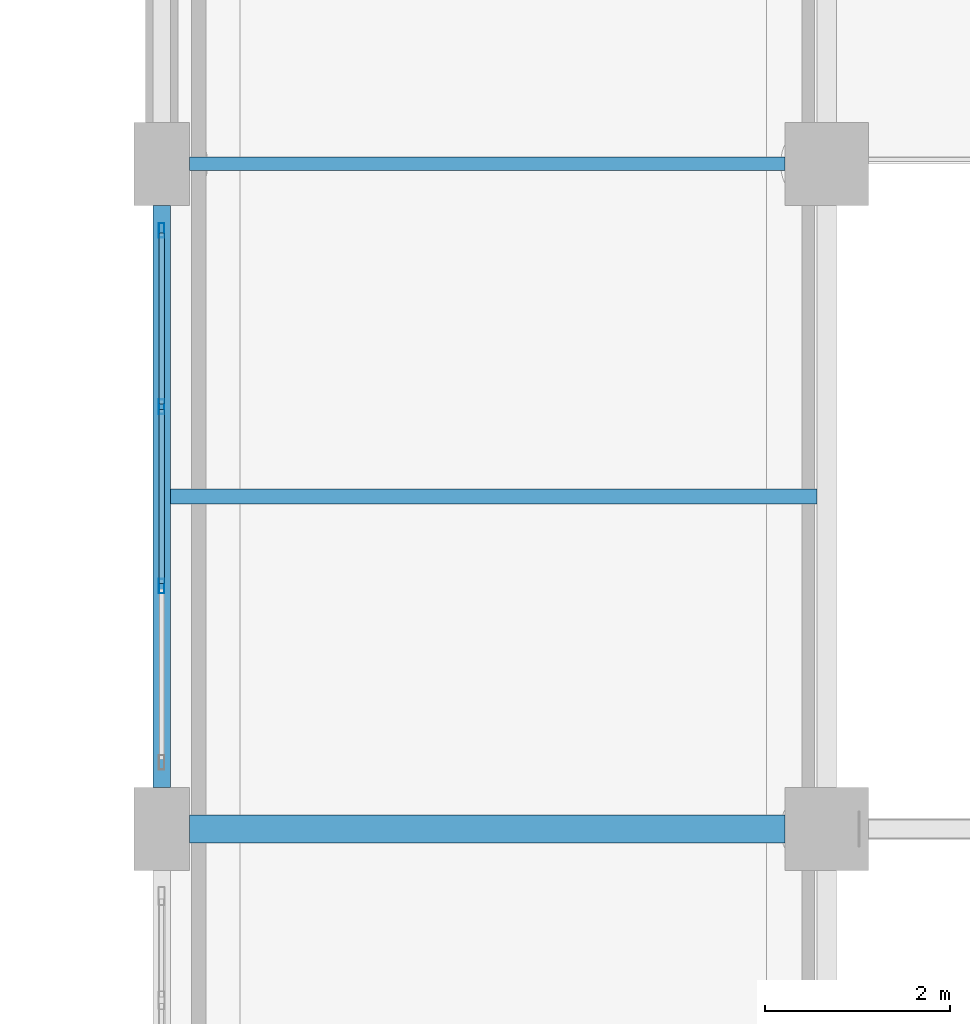
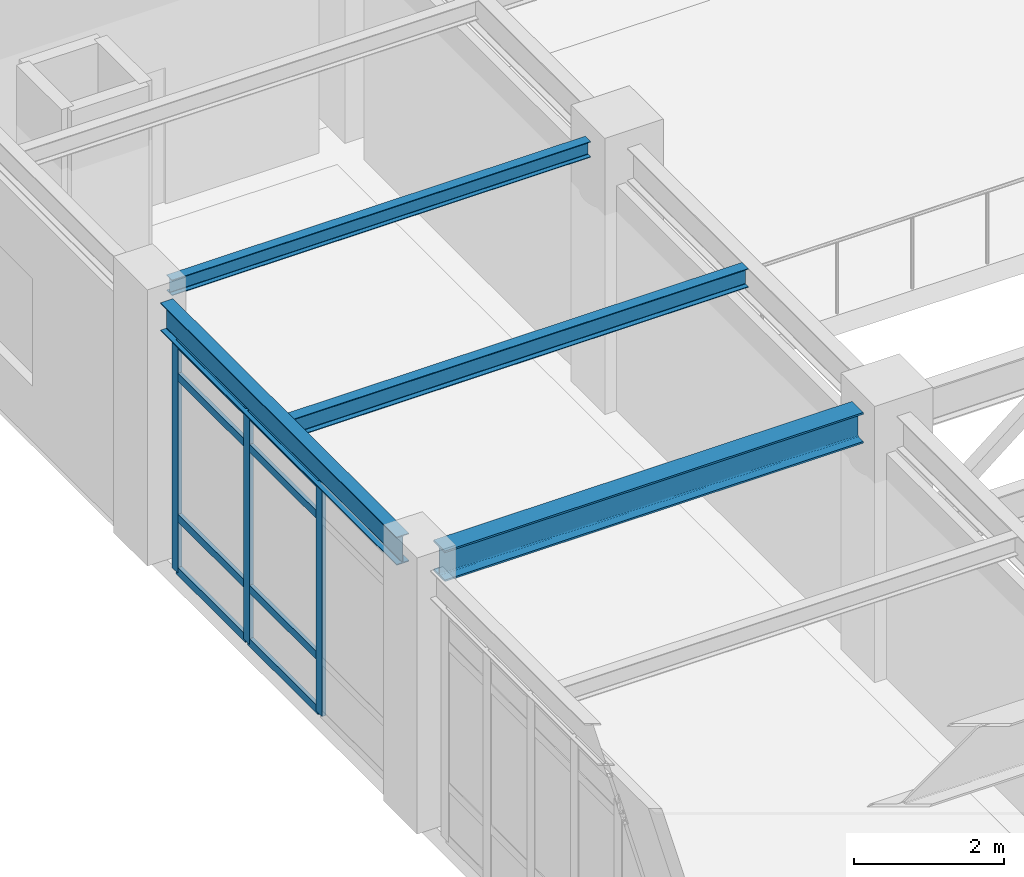
# One storey, part 22 of 106: 11 members, 4 beams, 1 element without a shape of its own.
"""IFC4 building model written with IfcOpenShell, lengths in metres."""

from ifc_helpers import new_model, si_unit, direction, frame, origin, origin_2d, place, context, subcontext, project, spatial, hollow_rectangle, i_section, extrude, material, layer, layer_set, material_profile, profile_set, type_object, element, aggregate, save


model = new_model("IFC4")

# Units and contexts
model_context = context("Model", 3, precision=1e-05, world=origin(), true_north=direction((0.0, 1.0)))
body_context = subcontext(model_context, "Body", "Model", "MODEL_VIEW")
ifc_project = project(units=[si_unit("LENGTHUNIT", "METRE"), si_unit("AREAUNIT", "SQUARE_METRE"), si_unit("VOLUMEUNIT", "CUBIC_METRE"), si_unit("PLANEANGLEUNIT", "RADIAN"), si_unit("MASSUNIT", "GRAM", prefix="KILO")], contexts=[model_context])

# Site, building, storey
site_placement = place(None, origin())
site = spatial("IfcSite", under=ifc_project, at=site_placement, CompositionType="ELEMENT")
building_placement = place(site_placement, origin())
building = spatial("IfcBuilding", under=site, at=building_placement, Name="Carrowvane Square Congress Hotel", CompositionType="ELEMENT")
storey_placement = place(building_placement, frame((0.0, 0.0, 10.5)))
storey = spatial("IfcBuildingStorey", under=building, at=storey_placement, Name="L02", CompositionType="ELEMENT", Elevation=10.5)

# Beams
ifc_material_1 = material(Name="Steel S355", Category="steel")
ifc_material_profile_1 = material_profile(ifc_material_1, i_section(OverallWidth=0.300048828125, OverallDepth=0.5, WebThickness=0.014404296875, FlangeThickness=0.028076171875, FilletRadius=0.027099609375, at=origin_2d()), Name="HEB 500")
ifc_profile_set_1 = profile_set([ifc_material_profile_1], Name="Steel S355")
beam_type_1 = type_object("IfcBeamType", Name="BM-ST-HEB500", PredefinedType="USERDEFINED", material=ifc_profile_set_1)
beam_1_placement = place(storey_placement, frame((134.300048828125, 41.39990234375, 3.969970703125), z_axis=(1.0, 0.0, 0.0), x_axis=(0.0, 1.0, 0.0)))
element("IfcBeam", 1, at=beam_1_placement, inside=storey, type_object=beam_type_1, Name="L03 girder F/18-19", ObjectType="GIRDER", PredefinedType="USERDEFINED", context=body_context, shape_type="SweptSolid", body=[
    extrude(i_section(OverallWidth=0.300048828125, OverallDepth=0.5, WebThickness=0.014404296875, FlangeThickness=0.028076171875, FilletRadius=0.027099609375, at=origin_2d()), origin(), (0.0, 0.0, 1.0), 6.449951171875),
])
ifc_material_2 = material(Name="Steel S355", Category="steel")
ifc_material_profile_2 = material_profile(ifc_material_2, i_section(OverallWidth=0.146484375, OverallDepth=0.256103515625, WebThickness=0.00634765625, FlangeThickness=0.010986328125, FilletRadius=0.007568359375, at=origin_2d()), Name="UKB 254x146x37")
ifc_profile_set_2 = profile_set([ifc_material_profile_2], Name="Steel S355")
beam_type_2 = type_object("IfcBeamType", Name="BM-ST-UKB254", PredefinedType="JOIST", material=ifc_profile_set_2)
beam_2_placement = place(storey_placement, frame((134.300048828125, 48.60009765625, 4.092041015625), z_axis=(1.0, 0.0, 0.0), x_axis=(0.0, 1.0, 0.0)))
element("IfcBeam", 2, at=beam_2_placement, inside=storey, type_object=beam_type_2, Name="L03 girder G/18-19", PredefinedType="JOIST", context=body_context, shape_type="SweptSolid", body=[
    extrude(i_section(OverallWidth=0.146484375, OverallDepth=0.256103515625, WebThickness=0.00634765625, FlangeThickness=0.010986328125, FilletRadius=0.007568359375, at=origin_2d()), origin(), (0.0, 0.0, 1.0), 6.449951171875),
])
ifc_material_3 = material(Name="Steel S355", Category="steel")
ifc_material_profile_3 = material_profile(ifc_material_3, i_section(OverallWidth=0.165771484375, OverallDepth=0.306640625, WebThickness=0.006591796875, FlangeThickness=0.01171875, FilletRadius=0.0087890625, at=origin_2d()), Name="UKB 305x165x46")
ifc_profile_set_3 = profile_set([ifc_material_profile_3], Name="Steel S355")
beam_type_3 = type_object("IfcBeamType", Name="BM-ST-UKB305", PredefinedType="JOIST", material=ifc_profile_set_3)
beam_3_placement = place(storey_placement, frame((134.095703125, 45.0, 4.066650390625), z_axis=(1.0, 0.0, 0.0), x_axis=(0.0, 1.0, 0.0)))
element("IfcBeam", 3, at=beam_3_placement, inside=storey, type_object=beam_type_3, Name="L03 secondary joist 18-19", PredefinedType="JOIST", context=body_context, shape_type="SweptSolid", body=[
    extrude(i_section(OverallWidth=0.165771484375, OverallDepth=0.306640625, WebThickness=0.006591796875, FlangeThickness=0.01171875, FilletRadius=0.0087890625, at=origin_2d()), origin(), (0.0, 0.0, 1.0), 6.999267578125),
])
ifc_material_4 = material(Name="Steel S355", Category="steel")
ifc_material_profile_4 = material_profile(ifc_material_4, i_section(OverallWidth=0.19140625, OverallDepth=0.4599609375, WebThickness=0.010009765625, FlangeThickness=0.01611328125, FilletRadius=0.01025390625, at=origin_2d()), Name="UKB 457x191x82")
ifc_profile_set_4 = profile_set([ifc_material_profile_4], Name="Steel S355")
beam_type_4 = type_object("IfcBeamType", Name="BM-ST-UKB457", PredefinedType="SPANDREL", material=ifc_profile_set_4)
beam_4_placement = place(storey_placement, frame((134.0, 41.85009765625, 3.989990234375), z_axis=(0.0, 1.0, 0.0), x_axis=(-1.0, 0.0, 0.0)))
element("IfcBeam", 4, at=beam_4_placement, inside=storey, type_object=beam_type_4, Name="L03 girder 18/F-G", PredefinedType="SPANDREL", context=body_context, shape_type="SweptSolid", body=[
    extrude(i_section(OverallWidth=0.19140625, OverallDepth=0.4599609375, WebThickness=0.010009765625, FlangeThickness=0.01611328125, FilletRadius=0.01025390625, at=origin_2d()), origin(), (0.0, 0.0, 1.0), 6.2998046875),
])

# Curtain wall, members
ifc_material_5 = material(Name="Anodised aluminium", Category="aluminium")
ifc_layer = layer(ifc_material_5, 0.162109375)
ifc_layer_set = layer_set([ifc_layer], Name="Anodised aluminium")
curtain_wall_type = type_object("IfcCurtainWallType", Name="CW-SYS-1", PredefinedType="NOTDEFINED", material=ifc_layer_set)
curtain_wall_placement = place(storey_placement, origin())
curtain_wall = element("IfcCurtainWall", 5, at=curtain_wall_placement, inside=storey, type_object=curtain_wall_type, Name="L02 unitised curtain wall 184", PredefinedType="NOTDEFINED")
ifc_material_6 = material(Name="Anodised aluminium", Category="aluminium")
ifc_material_profile_5 = material_profile(ifc_material_6, hollow_rectangle(XDim=0.06005859375, YDim=0.159912109375, WallThickness=0.00390625, at=origin_2d()), Name="CW-ML 60x160x4")
ifc_profile_set_5 = profile_set([ifc_material_profile_5], Name="Anodised aluminium")
member_type_1 = type_object("IfcMemberType", Name="CW-MUL-1", PredefinedType="MULLION", material=ifc_profile_set_5)
member_1_placement = place(storey_placement, frame((134.0, 44.030029296875, 0.0), z_axis=(0.0, 0.0, 1.0), x_axis=(-1.0, 0.0, 0.0)))
member_1 = element("IfcMember", 6, at=member_1_placement, type_object=member_type_1, Name="CW-1 mullion 2", PredefinedType="MULLION", context=body_context, shape_type="SweptSolid", body=[
    extrude(hollow_rectangle(XDim=0.06005859375, YDim=0.159912109375, WallThickness=0.00390625, at=origin_2d()), origin(), (0.0, 0.0, 1.0), 3.7451171875),
])
member_2_placement = place(storey_placement, frame((134.0, 45.969970703125, 0.0), z_axis=(0.0, 0.0, 1.0), x_axis=(-1.0, 0.0, 0.0)))
member_2 = element("IfcMember", 7, at=member_2_placement, type_object=member_type_1, Name="CW-1 mullion 3", PredefinedType="MULLION", context=body_context, shape_type="SweptSolid", body=[
    extrude(hollow_rectangle(XDim=0.06005859375, YDim=0.159912109375, WallThickness=0.00390625, at=origin_2d()), origin(), (0.0, 0.0, 1.0), 3.7451171875),
])
member_3_placement = place(storey_placement, frame((134.0, 47.8798828125, 0.0), z_axis=(0.0, 0.0, 1.0), x_axis=(-1.0, 0.0, 0.0)))
member_3 = element("IfcMember", 8, at=member_3_placement, type_object=member_type_1, Name="CW-1 mullion 4", PredefinedType="MULLION", context=body_context, shape_type="SweptSolid", body=[
    extrude(hollow_rectangle(XDim=0.06005859375, YDim=0.159912109375, WallThickness=0.00390625, at=origin_2d()), origin(), (0.0, 0.0, 1.0), 3.7451171875),
])
ifc_material_7 = material(Name="Anodised aluminium", Category="aluminium")
ifc_material_profile_6 = material_profile(ifc_material_7, hollow_rectangle(XDim=0.06005859375, YDim=0.1298828125, WallThickness=0.00390625, at=origin_2d()), Name="CW-TR 60x130x4")
ifc_profile_set_6 = profile_set([ifc_material_profile_6], Name="Anodised aluminium")
member_type_2 = type_object("IfcMemberType", Name="CW-TRN-1", PredefinedType="USERDEFINED", material=ifc_profile_set_6)
member_4_placement = place(storey_placement, frame((134.0, 44.06005859375, 0.030029296875), z_axis=(0.0, 1.0, 0.0), x_axis=(-1.0, 0.0, 0.0)))
member_4 = element("IfcMember", 9, at=member_4_placement, type_object=member_type_2, Name="CW-1 transom 2.1", ObjectType="TRANSOM", PredefinedType="USERDEFINED", context=body_context, shape_type="SweptSolid", body=[
    extrude(hollow_rectangle(XDim=0.06005859375, YDim=0.1298828125, WallThickness=0.00390625, at=origin_2d()), origin(), (0.0, 0.0, 1.0), 1.8798828125),
])
member_5_placement = place(storey_placement, frame((134.0, 44.06005859375, 0.89990234375), z_axis=(0.0, 1.0, 0.0), x_axis=(-1.0, 0.0, 0.0)))
member_5 = element("IfcMember", 10, at=member_5_placement, type_object=member_type_2, Name="CW-1 transom 2.2", ObjectType="TRANSOM", PredefinedType="USERDEFINED", context=body_context, shape_type="SweptSolid", body=[
    extrude(hollow_rectangle(XDim=0.06005859375, YDim=0.1298828125, WallThickness=0.00390625, at=origin_2d()), origin(), (0.0, 0.0, 1.0), 1.8798828125),
])
member_6_placement = place(storey_placement, frame((134.0, 44.06005859375, 3.195068359375), z_axis=(0.0, 1.0, 0.0), x_axis=(-1.0, 0.0, 0.0)))
member_6 = element("IfcMember", 11, at=member_6_placement, type_object=member_type_2, Name="CW-1 transom 2.3", ObjectType="TRANSOM", PredefinedType="USERDEFINED", context=body_context, shape_type="SweptSolid", body=[
    extrude(hollow_rectangle(XDim=0.06005859375, YDim=0.1298828125, WallThickness=0.00390625, at=origin_2d()), origin(), (0.0, 0.0, 1.0), 1.8798828125),
])
member_7_placement = place(storey_placement, frame((134.0, 44.06005859375, 3.715087890625), z_axis=(0.0, 1.0, 0.0), x_axis=(-1.0, 0.0, 0.0)))
member_7 = element("IfcMember", 12, at=member_7_placement, type_object=member_type_2, Name="CW-1 transom 2.4", ObjectType="TRANSOM", PredefinedType="USERDEFINED", context=body_context, shape_type="SweptSolid", body=[
    extrude(hollow_rectangle(XDim=0.06005859375, YDim=0.1298828125, WallThickness=0.00390625, at=origin_2d()), origin(), (0.0, 0.0, 1.0), 1.8798828125),
])
member_8_placement = place(storey_placement, frame((134.0, 46.0, 0.030029296875), z_axis=(0.0, 1.0, 0.0), x_axis=(-1.0, 0.0, 0.0)))
member_8 = element("IfcMember", 13, at=member_8_placement, type_object=member_type_2, Name="CW-1 transom 3.1", ObjectType="TRANSOM", PredefinedType="USERDEFINED", context=body_context, shape_type="SweptSolid", body=[
    extrude(hollow_rectangle(XDim=0.06005859375, YDim=0.1298828125, WallThickness=0.00390625, at=origin_2d()), origin(), (0.0, 0.0, 1.0), 1.85009765625),
])
member_9_placement = place(storey_placement, frame((134.0, 46.0, 0.89990234375), z_axis=(0.0, 1.0, 0.0), x_axis=(-1.0, 0.0, 0.0)))
member_9 = element("IfcMember", 14, at=member_9_placement, type_object=member_type_2, Name="CW-1 transom 3.2", ObjectType="TRANSOM", PredefinedType="USERDEFINED", context=body_context, shape_type="SweptSolid", body=[
    extrude(hollow_rectangle(XDim=0.06005859375, YDim=0.1298828125, WallThickness=0.00390625, at=origin_2d()), origin(), (0.0, 0.0, 1.0), 1.85009765625),
])
member_10_placement = place(storey_placement, frame((134.0, 46.0, 3.195068359375), z_axis=(0.0, 1.0, 0.0), x_axis=(-1.0, 0.0, 0.0)))
member_10 = element("IfcMember", 15, at=member_10_placement, type_object=member_type_2, Name="CW-1 transom 3.3", ObjectType="TRANSOM", PredefinedType="USERDEFINED", context=body_context, shape_type="SweptSolid", body=[
    extrude(hollow_rectangle(XDim=0.06005859375, YDim=0.1298828125, WallThickness=0.00390625, at=origin_2d()), origin(), (0.0, 0.0, 1.0), 1.85009765625),
])
member_11_placement = place(storey_placement, frame((134.0, 46.0, 3.715087890625), z_axis=(0.0, 1.0, 0.0), x_axis=(-1.0, 0.0, 0.0)))
member_11 = element("IfcMember", 16, at=member_11_placement, type_object=member_type_2, Name="CW-1 transom 3.4", ObjectType="TRANSOM", PredefinedType="USERDEFINED", context=body_context, shape_type="SweptSolid", body=[
    extrude(hollow_rectangle(XDim=0.06005859375, YDim=0.1298828125, WallThickness=0.00390625, at=origin_2d()), origin(), (0.0, 0.0, 1.0), 1.85009765625),
])
aggregate(curtain_wall, [member_1, member_2, member_3, member_4, member_5, member_6, member_7, member_8, member_9, member_10, member_11])

save(model, "model.ifc")
